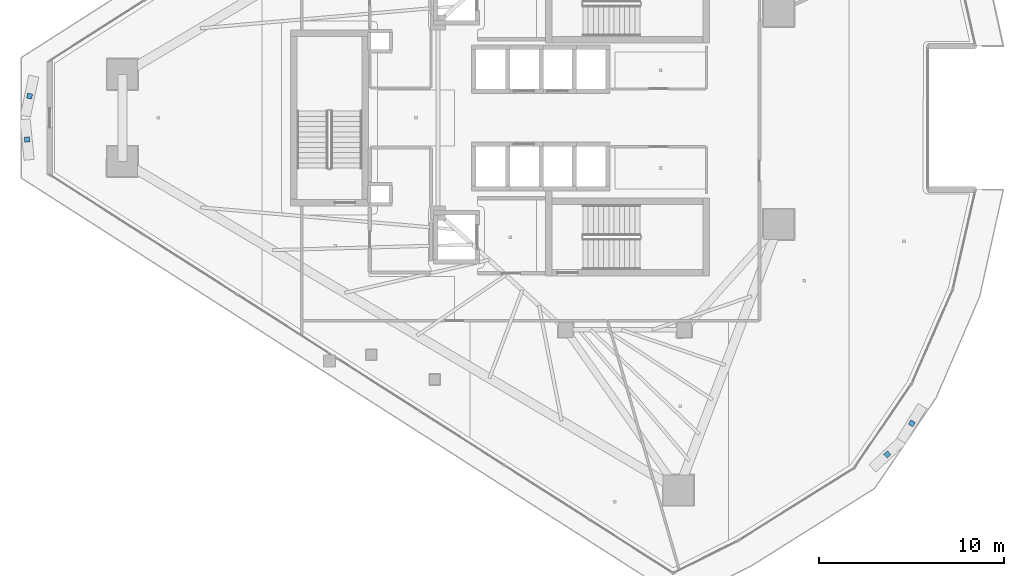
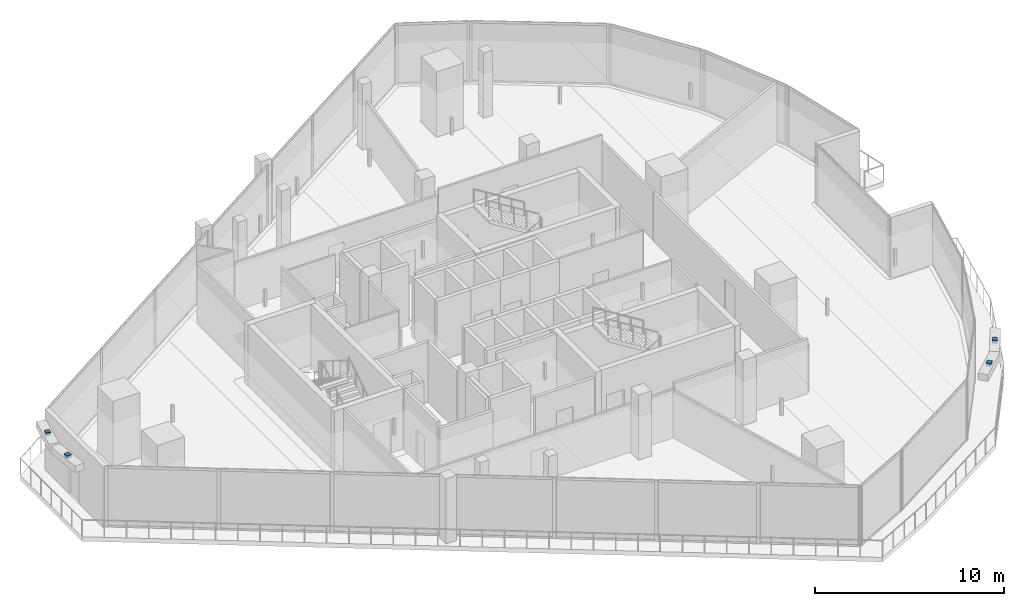
# One storey, part 25 of 31: 4 discrete accessories.
"""IFC4 building model written with IfcOpenShell, lengths in metres."""

from ifc_helpers import new_model, si_unit, direction, frame, origin, origin_2d, place, context, subcontext, project, spatial, rectangle, extrude, material, type_object, element, save


model = new_model("IFC4")

# Units and contexts
model_context = context("Model", 3, precision=1e-05, world=origin(), true_north=direction((0.0, 1.0)))
body_context = subcontext(model_context, "Body", "Model", "MODEL_VIEW")
ifc_project = project(units=[si_unit("LENGTHUNIT", "METRE"), si_unit("AREAUNIT", "SQUARE_METRE"), si_unit("VOLUMEUNIT", "CUBIC_METRE"), si_unit("PLANEANGLEUNIT", "RADIAN"), si_unit("MASSUNIT", "GRAM", prefix="KILO")], contexts=[model_context])

# Site, building, storey
site_placement = place(None, origin())
site = spatial("IfcSite", under=ifc_project, at=site_placement, CompositionType="ELEMENT")
building_placement = place(site_placement, origin())
building = spatial("IfcBuilding", under=site, at=building_placement, Name="Qorvath Tower", CompositionType="ELEMENT")
storey_placement = place(building_placement, frame((0.0, 0.0, 259.800048828125)))
storey = spatial("IfcBuildingStorey", under=building, at=storey_placement, Name="L60", CompositionType="ELEMENT", Elevation=259.800048828125)

# Discrete accessories
ifc_material = material(Name="Galvanised steel bracket", Category="steel")
discrete_accessory_type = type_object("IfcDiscreteAccessoryType", Name="DA-BRACKET", PredefinedType="BRACKET", material=ifc_material)
for number, where, z_axis, x_axis, name in (
    (1, (-52.550048828125, 1.17333984375, 3.77001953125), (0.0, 0.0, 1.0), (-0.207428530813, -0.978250174855, 0.0), "Louvre Wave Support Bracket L60-01"),
    (2, (-52.686279296875, -1.17333984375, 3.77001953125), (0.0, 0.0, 1.0), (0.099946678541, -0.994992794672, 0.0), "Louvre Wave Support Bracket L60-02"),
    (3, (-6.239501953125, -18.17724609375, 3.77001953125), (0.0, 0.0, 1.0), (0.731025090752, 0.682350581952, 0.0), "Louvre Wave Support Bracket L60-03"),
    (4, (-4.9130859375, -16.49755859375, 3.77001953125), (0.0, 0.0, 1.0), (0.524191033832, 0.851600704585, 0.0), "Louvre Wave Support Bracket L60-04"),
):
    element("IfcDiscreteAccessory", number, at=place(storey_placement, frame(where, z_axis=z_axis, x_axis=x_axis)), inside=storey, type_object=discrete_accessory_type, Name=name, PredefinedType="NOTDEFINED", context=body_context, shape_type="SweptSolid", body=[
        extrude(rectangle(XDim=0.280029296875, YDim=0.280029296875, at=origin_2d()), origin(), (0.0, 0.0, 1.0), 0.199951171875),
    ])

save(model, "model.ifc")
